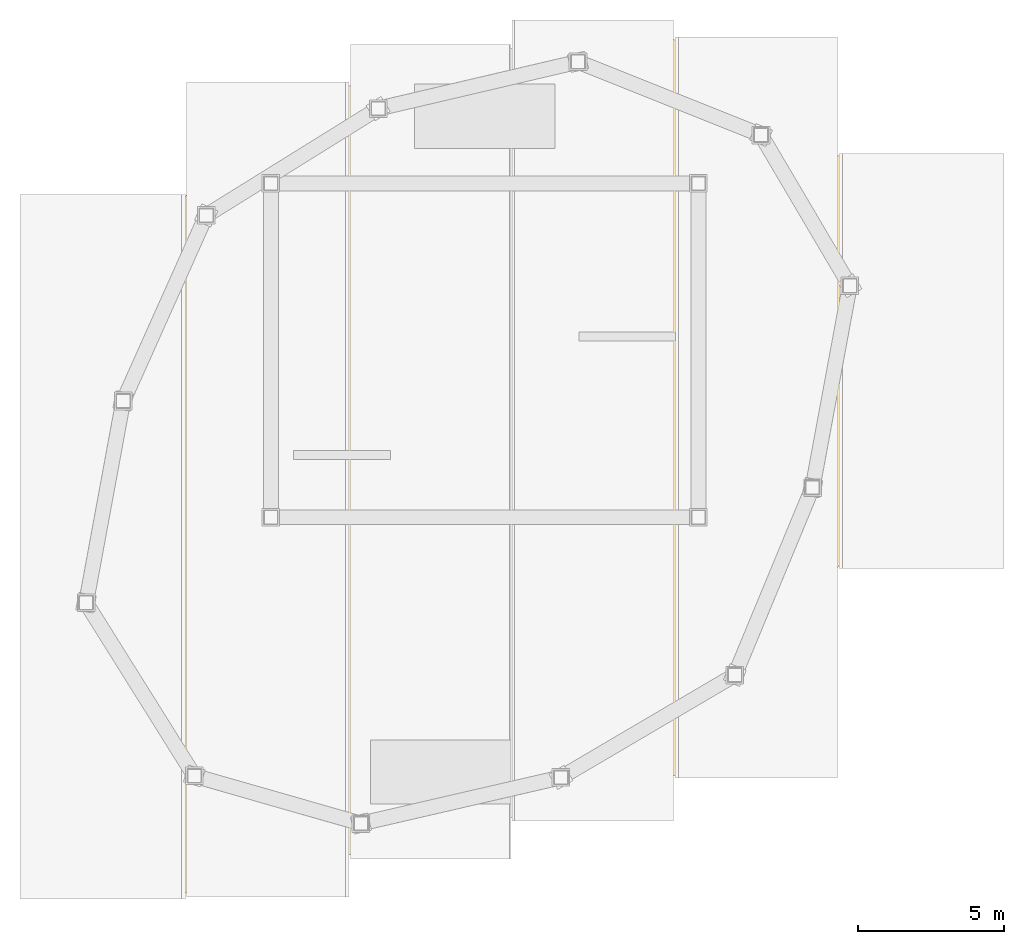
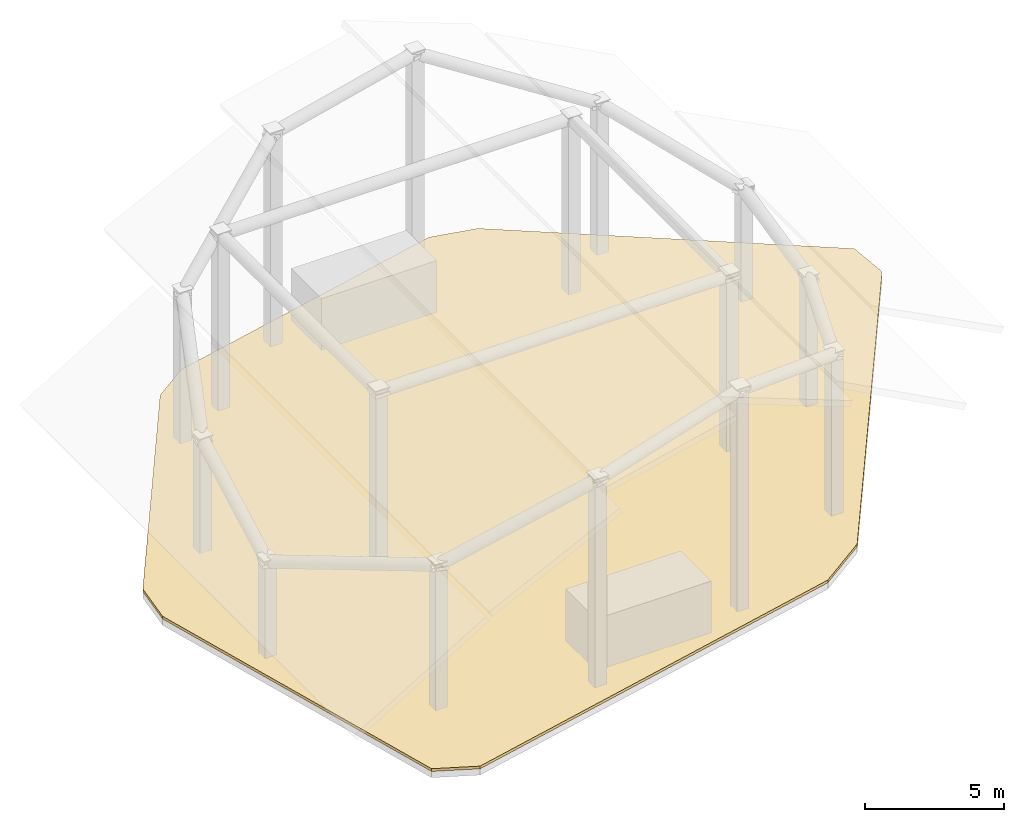
# One storey, part 2 of 3: 1 covering.
"""IFC4 building model written with IfcOpenShell, lengths in metres."""

from ifc_helpers import new_model, si_unit, direction, frame, origin, place, context, subcontext, project, spatial, polyline, outline, extrude, material, layer, layer_set, type_object, element, save


model = new_model("IFC4")

# Units and contexts
model_context = context("Model", 3, precision=1e-05, world=origin(), true_north=direction((0.0, 1.0)))
body_context = subcontext(model_context, "Body", "Model", "MODEL_VIEW")
ifc_project = project(units=[si_unit("LENGTHUNIT", "METRE"), si_unit("AREAUNIT", "SQUARE_METRE"), si_unit("VOLUMEUNIT", "CUBIC_METRE"), si_unit("PLANEANGLEUNIT", "RADIAN"), si_unit("MASSUNIT", "GRAM", prefix="KILO")], contexts=[model_context])

# Site, building, storey
site_placement = place(None, origin())
site = spatial("IfcSite", under=ifc_project, at=site_placement, CompositionType="ELEMENT")
building_placement = place(site_placement, origin())
building = spatial("IfcBuilding", under=site, at=building_placement, Name="Talar Marvaseh", CompositionType="ELEMENT")
storey_placement = place(building_placement, frame((0.0, 0.0, 316.0)))
storey = spatial("IfcBuildingStorey", under=building, at=storey_placement, Name="RF", CompositionType="ELEMENT", Elevation=316.0)

# Covering
ifc_material = material(Name="Elastomeric Waterproof Roofing Membrane")
ifc_layer = layer(ifc_material, 0.1201171875)
ifc_layer_set = layer_set([ifc_layer], Name="Elastomeric Waterproof Roofing Membrane")
covering_type = type_object("IfcCoveringType", Name="Elastomeric Insulated Roof Waterproofing Membrane", PredefinedType="ROOFING", material=ifc_layer_set)
covering_placement = place(storey_placement, origin())
element("IfcCovering", 1, at=covering_placement, inside=storey, type_object=covering_type, Name="RF Crown Main Roof Waterproofing Membrane", PredefinedType="ROOFING", context=body_context, shape_type="SweptSolid", body=[
    extrude(outline(polyline([(15.48974609375, 12.6123046875), (13.890869140625, 13.343505859375), (10.282470703125, 26.491943359375), (10.520751953125, 28.3330078125), (17.156494140625, 38.57763671875), (18.614990234375, 39.59912109375), (30.511474609375, 42.33056640625), (32.322998046875, 41.9248046875), (43.4443359375, 34.037109375), (43.584716796875, 32.28466796875), (34.244384765625, 17.906982421875), (32.194580078125, 16.4716796875), (15.48974609375, 12.6123046875)])), origin(), (0.0, 0.0, 1.0), 0.1201171875),
])

save(model, "model.ifc")
